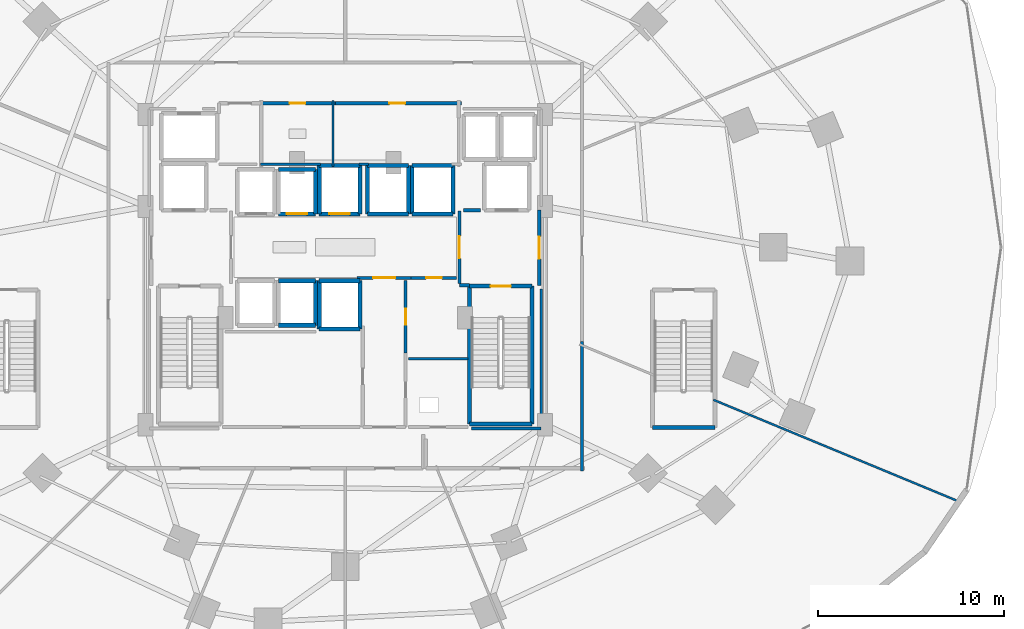
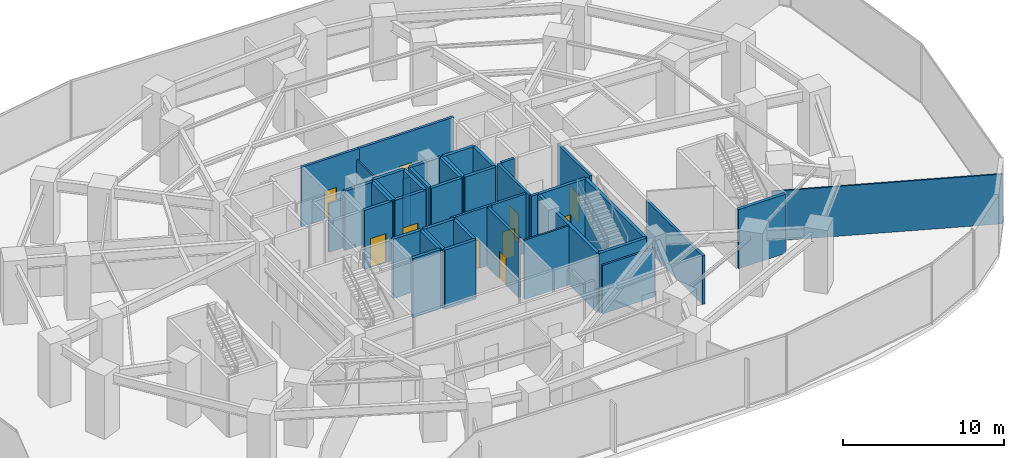
# One storey, part 23 of 27: 44 walls, 10 doors, 10 openings.
"""IFC4 building model written with IfcOpenShell, lengths in metres."""

from ifc_helpers import new_model, si_unit, direction, frame, frame_2d, origin, place, context, subcontext, project, spatial, rectangle, extrude, material, layer, layer_set, type_object, element, fill, save


model = new_model("IFC4")

# Units and contexts
model_context = context("Model", 3, precision=1e-05, world=origin(), true_north=direction((0.0, 1.0)))
body_context = subcontext(model_context, "Body", "Model", "MODEL_VIEW")
ifc_project = project(units=[si_unit("LENGTHUNIT", "METRE"), si_unit("AREAUNIT", "SQUARE_METRE"), si_unit("VOLUMEUNIT", "CUBIC_METRE"), si_unit("PLANEANGLEUNIT", "RADIAN"), si_unit("MASSUNIT", "GRAM", prefix="KILO")], contexts=[model_context])

# Site, building, storey
site_placement = place(None, origin())
site = spatial("IfcSite", under=ifc_project, at=site_placement, CompositionType="ELEMENT")
building_placement = place(site_placement, origin())
building = spatial("IfcBuilding", under=site, at=building_placement, Name="Vorneva Point Tower", CompositionType="ELEMENT")
storey_placement = place(building_placement, frame((0.0, 0.0, 4.800048828125)))
storey = spatial("IfcBuildingStorey", under=building, at=storey_placement, Name="L01", CompositionType="ELEMENT", Elevation=4.800048828125)

# Walls
ifc_material_1 = material(Name="Fire-rated acoustic gypsum stud partition", Category="gypsum")
ifc_layer_1 = layer(ifc_material_1, 0.110107421875)
ifc_layer_set_1 = layer_set([ifc_layer_1], Name="Fire-rated acoustic gypsum stud partition")
wall_type_1 = type_object("IfcWallType", Name="WL-PART-110", PredefinedType="PARTITIONING", material=ifc_layer_set_1)
wall_1_placement = place(storey_placement, frame((37.35009765625, 30.340087890625, 0.0), z_axis=(0.0, 0.0, 1.0), x_axis=(0.0, 1.0, 0.0)))
element("IfcWall", 1, at=wall_1_placement, inside=storey, type_object=wall_type_1, Name="L01 Interior Partition 017", PredefinedType="PARTITIONING", context=body_context, shape_type="SweptSolid", body=[
    extrude(rectangle(XDim=3.559814453125, YDim=0.110107421875, at=frame_2d((1.77978515625, 0.0))), origin(), (0.0, 0.0, 1.0), 3.671875),
])
wall_2_placement = place(storey_placement, frame((71.186279296875, 12.25341796875, 0.0), z_axis=(0.0, 0.0, 1.0), x_axis=(-0.92387438968, 0.382695848021, 0.0)))
element("IfcWall", 2, at=wall_2_placement, inside=storey, type_object=wall_type_1, Name="L01 Interior Partition 045", PredefinedType="PARTITIONING", context=body_context, shape_type="SweptSolid", body=[
    extrude(rectangle(XDim=14.4560546875, YDim=0.110107421875, at=frame_2d((7.22802734375, 0.0))), origin(), (0.0, 0.0, 1.0), 3.76904296875),
])
ifc_layer_2 = layer(ifc_material_1, 0.125)
ifc_layer_set_2 = layer_set([ifc_layer_2], Name="Fire-rated acoustic gypsum stud partition")
wall_type_2 = type_object("IfcWallType", Name="WL-PART-125", PredefinedType="PARTITIONING", material=ifc_layer_set_2)
wall_3_placement = place(storey_placement, frame((44.60009765625, 20.0, 0.0), z_axis=(0.0, 0.0, 1.0), x_axis=(-1.0, 0.0, 0.0)))
element("IfcWall", 3, at=wall_3_placement, inside=storey, type_object=wall_type_2, Name="L01 Interior Partition 015", PredefinedType="PARTITIONING", context=body_context, shape_type="SweptSolid", body=[
    extrude(rectangle(XDim=3.2001953125, YDim=0.125, at=frame_2d((1.60009765625, 0.0))), origin(), (0.0, 0.0, 1.0), 4.47998046875),
])
ifc_layer_3 = layer(ifc_material_1, 0.139892578125)
ifc_layer_set_3 = layer_set([ifc_layer_3], Name="Fire-rated acoustic gypsum stud partition")
wall_type_3 = type_object("IfcWallType", Name="WL-PART-140", PredefinedType="PARTITIONING", material=ifc_layer_set_3)
wall_4_placement = place(storey_placement, frame((33.43994140625, 30.47998046875, 0.0), z_axis=(0.0, 0.0, 1.0), x_axis=(1.0, 0.0, 0.0)))
element("IfcWall", 4, at=wall_4_placement, inside=storey, type_object=wall_type_3, Name="L01 Interior Closure Partition 049", PredefinedType="PARTITIONING", context=body_context, shape_type="SweptSolid", body=[
    extrude(rectangle(XDim=3.22509765625, YDim=0.139892578125, at=frame_2d((1.612548828125, 0.0))), origin(), (0.0, 0.0, 1.0), 3.671875),
])
wall_5_placement = place(storey_placement, frame((38.735107421875, 30.47998046875, 0.0), z_axis=(0.0, 0.0, 1.0), x_axis=(1.0, 0.0, 0.0)))
element("IfcWall", 5, at=wall_5_placement, inside=storey, type_object=wall_type_3, Name="L01 Interior Closure Partition 050", PredefinedType="PARTITIONING", context=body_context, shape_type="SweptSolid", body=[
    extrude(rectangle(XDim=0.52978515625, YDim=0.139892578125, at=frame_2d((0.264892578125, 0.0))), origin(), (0.0, 0.0, 1.0), 3.671875),
])
wall_6_placement = place(storey_placement, frame((48.550048828125, 23.75390625, 0.0), z_axis=(0.0, 0.0, 1.0), x_axis=(0.0, -1.0, 0.0)))
element("IfcWall", 6, at=wall_6_placement, inside=storey, type_object=wall_type_3, Name="L01 Interior Closure Partition 056", PredefinedType="PARTITIONING", context=body_context, shape_type="SweptSolid", body=[
    extrude(rectangle(XDim=7.513916015625, YDim=0.139892578125, at=frame_2d((3.7568359375, 0.0))), origin(), (0.0, 0.0, 1.0), 2.406005859375),
])
wall_7_placement = place(storey_placement, frame((48.550048828125, 16.239990234375, 0.0), z_axis=(0.0, 0.0, 1.0), x_axis=(-1.0, 0.0, 0.0)))
element("IfcWall", 7, at=wall_7_placement, inside=storey, type_object=wall_type_3, Name="L01 Interior Closure Partition 057", PredefinedType="PARTITIONING", context=body_context, shape_type="SweptSolid", body=[
    extrude(rectangle(XDim=3.7451171875, YDim=0.139892578125, at=frame_2d((1.87255859375, 0.0))), origin(), (0.0, 0.0, 1.0), 3.671875),
])

# Wall, opening, door
ifc_material_2 = material(Name="Autoclaved aerated concrete blockwork", Category="masonry")
ifc_layer_4 = layer(ifc_material_2, 0.179931640625)
ifc_layer_set_4 = layer_set([ifc_layer_4], Name="Autoclaved aerated concrete blockwork")
wall_type_4 = type_object("IfcWallType", Name="WL-PART-180", PredefinedType="PARTITIONING", material=ifc_layer_set_4)
wall_8_placement = place(storey_placement, frame((44.14990234375, 27.955078125, 0.0), z_axis=(0.0, 0.0, 1.0), x_axis=(0.0, -1.0, 0.0)))
wall_8 = element("IfcWall", 8, at=wall_8_placement, inside=storey, type_object=wall_type_4, Name="L01 Interior Partition 003", PredefinedType="PARTITIONING", context=body_context, shape_type="SweptSolid", body=[
    extrude(rectangle(XDim=3.91015625, YDim=0.179931640625, at=frame_2d((1.955078125, 0.0))), origin(), (0.0, 0.0, 1.0), 4.47998046875),
])
opening_1_placement = place(wall_8_placement, frame((1.35498046875, 0.0, 0.0)))
opening_1 = element("IfcOpeningElement", 9, at=opening_1_placement, cuts=wall_8, Name="Opening FD-02", PredefinedType="OPENING", context=body_context, shape_type="SweptSolid", body=[
    extrude(rectangle(XDim=1.199951171875, YDim=2.14990234375, at=frame_2d((0.60009765625, 1.074951171875))), frame((0.0, 0.10498046875, 0.0), z_axis=(0.0, -1.0, 0.0), x_axis=(1.0, 0.0, 0.0)), (0.0, 0.0, 1.0), 0.209716796875),
])
ifc_material_3 = material(Name="Fire-rated powder-coated steel", Category="steel")
door_type_1 = type_object("IfcDoorType", Name="DR-FFL-1200", OperationType="NOTDEFINED", PredefinedType="DOOR", material=ifc_material_3)
door_1_placement = place(opening_1_placement, origin())
door_1 = element("IfcDoor", 10, at=door_1_placement, inside=storey, type_object=door_type_1, Name="L01 Door East Firefighting Lobby / Central Lift Lobby", OperationType="SINGLE_SWING_RIGHT", OverallHeight=2.14990234375, OverallWidth=1.199951171875, PredefinedType="DOOR", context=body_context, shape_type="SweptSolid", body=[
    extrude(rectangle(XDim=1.199951171875, YDim=2.14990234375, at=frame_2d((0.60009765625, 1.074951171875))), frame((0.0, 0.02490234375, 0.0), z_axis=(0.0, -1.0, 0.0), x_axis=(1.0, 0.0, 0.0)), (0.0, 0.0, 1.0), 0.050048828125),
])
fill(opening_1, door_1)

# Wall
wall_9_placement = place(storey_placement, frame((44.14990234375, 23.949951171875, 0.0), z_axis=(0.0, 0.0, 1.0), x_axis=(1.0, 0.0, 0.0)))
element("IfcWall", 11, at=wall_9_placement, inside=storey, type_object=wall_type_4, Name="L01 Interior Partition 004", PredefinedType="PARTITIONING", context=body_context, shape_type="SweptSolid", body=[
    extrude(rectangle(XDim=0.5400390625, YDim=0.179931640625, at=frame_2d((0.27001953125, 0.0))), origin(), (0.0, 0.0, 1.0), 4.47998046875),
])

# Wall, opening, door
wall_10_placement = place(storey_placement, frame((48.449951171875, 23.949951171875, 0.0), z_axis=(0.0, 0.0, 1.0), x_axis=(0.0, 1.0, 0.0)))
wall_10 = element("IfcWall", 12, at=wall_10_placement, inside=storey, type_object=wall_type_4, Name="L01 Interior Partition 005", PredefinedType="PARTITIONING", context=body_context, shape_type="SweptSolid", body=[
    extrude(rectangle(XDim=4.050048828125, YDim=0.179931640625, at=frame_2d((2.02490234375, 0.0))), origin(), (0.0, 0.0, 1.0), 4.47998046875),
])
opening_2_placement = place(wall_10_placement, frame((1.425048828125, 0.0, 0.0)))
opening_2 = element("IfcOpeningElement", 13, at=opening_2_placement, cuts=wall_10, Name="Opening FD-02", PredefinedType="OPENING", context=body_context, shape_type="SweptSolid", body=[
    extrude(rectangle(XDim=1.199951171875, YDim=2.14990234375, at=frame_2d((0.60009765625, 1.074951171875))), frame((0.0, 0.10498046875, 0.0), z_axis=(0.0, -1.0, 0.0), x_axis=(1.0, 0.0, 0.0)), (0.0, 0.0, 1.0), 0.209716796875),
])
door_2_placement = place(opening_2_placement, origin())
door_2 = element("IfcDoor", 14, at=door_2_placement, inside=storey, type_object=door_type_1, Name="L01 Door East Firefighting Lobby / L01 Circulation Corridor", OperationType="SINGLE_SWING_LEFT", OverallHeight=2.14990234375, OverallWidth=1.199951171875, PredefinedType="DOOR", context=body_context, shape_type="SweptSolid", body=[
    extrude(rectangle(XDim=1.199951171875, YDim=2.14990234375, at=frame_2d((0.60009765625, 1.074951171875))), frame((0.0, 0.02490234375, 0.0), z_axis=(0.0, -1.0, 0.0), x_axis=(1.0, 0.0, 0.0)), (0.0, 0.0, 1.0), 0.050048828125),
])
fill(opening_2, door_2)

wall_11_placement = place(storey_placement, frame((38.64501953125, 24.35009765625, 0.0), z_axis=(0.0, 0.0, 1.0), x_axis=(1.0, 0.0, 0.0)))
wall_11 = element("IfcWall", 15, at=wall_11_placement, inside=storey, type_object=wall_type_4, Name="L01 Interior Partition 009", PredefinedType="PARTITIONING", context=body_context, shape_type="SweptSolid", body=[
    extrude(rectangle(XDim=2.909912109375, YDim=0.179931640625, at=frame_2d((1.455078125, 0.0))), origin(), (0.0, 0.0, 1.0), 4.47998046875),
])
opening_3_placement = place(wall_11_placement, frame((0.85498046875, 0.0, 0.0)))
opening_3 = element("IfcOpeningElement", 16, at=opening_3_placement, cuts=wall_11, Name="Opening FD-02", PredefinedType="OPENING", context=body_context, shape_type="SweptSolid", body=[
    extrude(rectangle(XDim=1.199951171875, YDim=2.14990234375, at=frame_2d((0.60009765625, 1.074951171875))), frame((0.0, 0.10498046875, 0.0), z_axis=(0.0, -1.0, 0.0), x_axis=(1.0, 0.0, 0.0)), (0.0, 0.0, 1.0), 0.209716796875),
])
door_3_placement = place(opening_3_placement, origin())
door_3 = element("IfcDoor", 17, at=door_3_placement, inside=storey, type_object=door_type_1, Name="L01 Door Central Lift Lobby / Core Service Lobby", OperationType="SINGLE_SWING_LEFT", OverallHeight=2.14990234375, OverallWidth=1.199951171875, PredefinedType="DOOR", context=body_context, shape_type="SweptSolid", body=[
    extrude(rectangle(XDim=1.199951171875, YDim=2.14990234375, at=frame_2d((0.60009765625, 1.074951171875))), frame((0.0, 0.02490234375, 0.0), z_axis=(0.0, -1.0, 0.0), x_axis=(1.0, 0.0, 0.0)), (0.0, 0.0, 1.0), 0.050048828125),
])
fill(opening_3, door_3)

wall_12_placement = place(storey_placement, frame((41.554931640625, 24.35009765625, 0.0), z_axis=(0.0, 0.0, 1.0), x_axis=(1.0, 0.0, 0.0)))
wall_12 = element("IfcWall", 18, at=wall_12_placement, inside=storey, type_object=wall_type_4, Name="L01 Interior Partition 010", PredefinedType="PARTITIONING", context=body_context, shape_type="SweptSolid", body=[
    extrude(rectangle(XDim=2.445068359375, YDim=0.179931640625, at=frame_2d((1.22265625, 0.0))), origin(), (0.0, 0.0, 1.0), 4.47998046875),
])
opening_4_placement = place(wall_12_placement, frame((0.797607421875, 0.0, 0.0)))
opening_4 = element("IfcOpeningElement", 19, at=opening_4_placement, cuts=wall_12, Name="Opening ID-02", PredefinedType="OPENING", context=body_context, shape_type="SweptSolid", body=[
    extrude(rectangle(XDim=0.85009765625, YDim=2.10009765625, at=frame_2d((0.425048828125, 1.050048828125))), frame((0.0, 0.10498046875, 0.0), z_axis=(0.0, -1.0, 0.0), x_axis=(1.0, 0.0, 0.0)), (0.0, 0.0, 1.0), 0.209716796875),
])
ifc_material_4 = material(Name="Engineered oak fire-rated door leaf", Category="wood")
door_type_2 = type_object("IfcDoorType", Name="DR-BATH-850", OperationType="NOTDEFINED", PredefinedType="DOOR", material=ifc_material_4)
door_4_placement = place(opening_4_placement, origin())
door_4 = element("IfcDoor", 20, at=door_4_placement, inside=storey, type_object=door_type_2, Name="L01 Door Central Lift Lobby / Cleaners Store", OperationType="SINGLE_SWING_RIGHT", OverallHeight=2.10009765625, OverallWidth=0.85009765625, PredefinedType="DOOR", context=body_context, shape_type="SweptSolid", body=[
    extrude(rectangle(XDim=0.85009765625, YDim=2.10009765625, at=frame_2d((0.425048828125, 1.050048828125))), frame((0.0, 0.02490234375, 0.0), z_axis=(0.0, -1.0, 0.0), x_axis=(1.0, 0.0, 0.0)), (0.0, 0.0, 1.0), 0.050048828125),
])
fill(opening_4, door_4)

wall_13_placement = place(storey_placement, frame((41.25, 20.304931640625, 0.0), z_axis=(0.0, 0.0, 1.0), x_axis=(0.0, 1.0, 0.0)))
wall_13 = element("IfcWall", 21, at=wall_13_placement, inside=storey, type_object=wall_type_4, Name="L01 Interior Partition 012", PredefinedType="PARTITIONING", context=body_context, shape_type="SweptSolid", body=[
    extrude(rectangle(XDim=3.89501953125, YDim=0.179931640625, at=frame_2d((1.947509765625, 0.0))), origin(), (0.0, 0.0, 1.0), 4.47998046875),
])
opening_5_placement = place(wall_13_placement, frame((1.5224609375, 0.0, 0.0)))
opening_5 = element("IfcOpeningElement", 22, at=opening_5_placement, cuts=wall_13, Name="Opening ID-02", PredefinedType="OPENING", context=body_context, shape_type="SweptSolid", body=[
    extrude(rectangle(XDim=0.85009765625, YDim=2.10009765625, at=frame_2d((0.425048828125, 1.050048828125))), frame((0.0, 0.10498046875, 0.0), z_axis=(0.0, -1.0, 0.0), x_axis=(1.0, 0.0, 0.0)), (0.0, 0.0, 1.0), 0.209716796875),
])
door_5_placement = place(opening_5_placement, origin())
door_5 = element("IfcDoor", 23, at=door_5_placement, inside=storey, type_object=door_type_2, Name="L01 Door Core Service Lobby / Cleaners Store", OperationType="SINGLE_SWING_RIGHT", OverallHeight=2.10009765625, OverallWidth=0.85009765625, PredefinedType="DOOR", context=body_context, shape_type="SweptSolid", body=[
    extrude(rectangle(XDim=0.85009765625, YDim=2.10009765625, at=frame_2d((0.425048828125, 1.050048828125))), frame((0.0, 0.02490234375, 0.0), z_axis=(0.0, -1.0, 0.0), x_axis=(1.0, 0.0, 0.0)), (0.0, 0.0, 1.0), 0.050048828125),
])
fill(opening_5, door_5)

wall_14_placement = place(storey_placement, frame((37.489990234375, 33.760009765625, 0.0), z_axis=(0.0, 0.0, 1.0), x_axis=(-1.0, 0.0, 0.0)))
wall_14 = element("IfcWall", 24, at=wall_14_placement, inside=storey, type_object=wall_type_4, Name="L01 Interior Partition 018", PredefinedType="PARTITIONING", context=body_context, shape_type="SweptSolid", body=[
    extrude(rectangle(XDim=4.1298828125, YDim=0.179931640625, at=frame_2d((2.06494140625, 0.0))), origin(), (0.0, 0.0, 1.0), 4.47998046875),
])
opening_6_placement = place(wall_14_placement, frame((1.639892578125, 0.0, 0.0)))
opening_6 = element("IfcOpeningElement", 25, at=opening_6_placement, cuts=wall_14, Name="Opening ID-02", PredefinedType="OPENING", context=body_context, shape_type="SweptSolid", body=[
    extrude(rectangle(XDim=0.85009765625, YDim=2.10009765625, at=frame_2d((0.425048828125, 1.050048828125))), frame((0.0, 0.10498046875, 0.0), z_axis=(0.0, -1.0, 0.0), x_axis=(1.0, 0.0, 0.0)), (0.0, 0.0, 1.0), 0.209716796875),
])
door_6_placement = place(opening_6_placement, origin())
door_6 = element("IfcDoor", 26, at=door_6_placement, inside=storey, type_object=door_type_2, Name="L01 Door Accessible WC / L01 Circulation Corridor", OperationType="SINGLE_SWING_RIGHT", OverallHeight=2.10009765625, OverallWidth=0.85009765625, PredefinedType="DOOR", context=body_context, shape_type="SweptSolid", body=[
    extrude(rectangle(XDim=0.85009765625, YDim=2.10009765625, at=frame_2d((0.425048828125, 1.050048828125))), frame((0.0, 0.02490234375, 0.0), z_axis=(0.0, -1.0, 0.0), x_axis=(1.0, 0.0, 0.0)), (0.0, 0.0, 1.0), 0.050048828125),
])
fill(opening_6, door_6)

wall_15_placement = place(storey_placement, frame((44.260009765625, 33.760009765625, 0.0), z_axis=(0.0, 0.0, 1.0), x_axis=(-1.0, 0.0, 0.0)))
wall_15 = element("IfcWall", 27, at=wall_15_placement, inside=storey, type_object=wall_type_4, Name="L01 Interior Partition 019", PredefinedType="PARTITIONING", context=body_context, shape_type="SweptSolid", body=[
    extrude(rectangle(XDim=6.909912109375, YDim=0.179931640625, at=frame_2d((3.455078125, 0.0))), origin(), (0.0, 0.0, 1.0), 4.47998046875),
])
opening_7_placement = place(wall_15_placement, frame((3.030029296875, 0.0, 0.0)))
opening_7 = element("IfcOpeningElement", 28, at=opening_7_placement, cuts=wall_15, Name="Opening ID-02", PredefinedType="OPENING", context=body_context, shape_type="SweptSolid", body=[
    extrude(rectangle(XDim=0.85009765625, YDim=2.10009765625, at=frame_2d((0.425048828125, 1.050048828125))), frame((0.0, 0.10498046875, 0.0), z_axis=(0.0, -1.0, 0.0), x_axis=(1.0, 0.0, 0.0)), (0.0, 0.0, 1.0), 0.209716796875),
])
door_7_placement = place(opening_7_placement, origin())
door_7 = element("IfcDoor", 29, at=door_7_placement, inside=storey, type_object=door_type_2, Name="L01 Door Public Restroom / L01 Circulation Corridor", OperationType="SINGLE_SWING_LEFT", OverallHeight=2.10009765625, OverallWidth=0.85009765625, PredefinedType="DOOR", context=body_context, shape_type="SweptSolid", body=[
    extrude(rectangle(XDim=0.85009765625, YDim=2.10009765625, at=frame_2d((0.425048828125, 1.050048828125))), frame((0.0, 0.02490234375, 0.0), z_axis=(0.0, -1.0, 0.0), x_axis=(1.0, 0.0, 0.0)), (0.0, 0.0, 1.0), 0.050048828125),
])
fill(opening_7, door_7)

# Walls
wall_16_placement = place(storey_placement, frame((50.75, 13.9599609375, 0.0), z_axis=(0.0, 0.0, 1.0), x_axis=(0.0, 1.0, 0.0)))
element("IfcWall", 30, at=wall_16_placement, inside=storey, type_object=wall_type_4, Name="L01 Interior Partition 035", PredefinedType="PARTITIONING", context=body_context, shape_type="SweptSolid", body=[
    extrude(rectangle(XDim=6.958984375, YDim=0.179931640625, at=frame_2d((3.4794921875, 0.0))), origin(), (0.0, 0.0, 1.0), 3.671875),
])
wall_17_placement = place(storey_placement, frame((45.280029296875, 28.0, 0.0), z_axis=(0.0, 0.0, 1.0), x_axis=(-1.0, 0.0, 0.0)))
element("IfcWall", 31, at=wall_17_placement, inside=storey, type_object=wall_type_4, Name="L01 Interior Closure Partition 047", PredefinedType="PARTITIONING", context=body_context, shape_type="SweptSolid", body=[
    extrude(rectangle(XDim=0.9150390625, YDim=0.179931640625, at=frame_2d((0.45751953125, 0.0))), origin(), (0.0, 0.0, 1.0), 4.47998046875),
])

# Wall, opening, door
ifc_material_5 = material(Name="Concrete B50 (C40/50)", Category="concrete")
ifc_layer_5 = layer(ifc_material_5, 0.219970703125)
ifc_layer_set_5 = layer_set([ifc_layer_5], Name="Concrete B50 (C40/50)")
wall_type_5 = type_object("IfcWallType", Name="WL-SHFT-220", PredefinedType="SOLIDWALL", material=ifc_layer_set_5)
wall_18_placement = place(storey_placement, frame((44.68994140625, 23.909912109375, 0.0), z_axis=(0.0, 0.0, 1.0), x_axis=(1.0, 0.0, 0.0)))
wall_18 = element("IfcWall", 32, at=wall_18_placement, inside=storey, type_object=wall_type_5, Name="L01 Exit Stair ST2 Shaft Wall near", PredefinedType="SOLIDWALL", context=body_context, shape_type="SweptSolid", body=[
    extrude(rectangle(XDim=3.3701171875, YDim=0.219970703125, at=frame_2d((1.68505859375, 0.0))), origin(), (0.0, 0.0, 1.0), 4.47998046875),
])
opening_8_placement = place(wall_18_placement, frame((1.135009765625, 0.0, 0.0)))
opening_8 = element("IfcOpeningElement", 33, at=opening_8_placement, cuts=wall_18, Name="Opening FD-01", PredefinedType="OPENING", context=body_context, shape_type="SweptSolid", body=[
    extrude(rectangle(XDim=1.10009765625, YDim=2.14990234375, at=frame_2d((0.550048828125, 1.074951171875))), frame((0.0, 0.125, 0.0), z_axis=(0.0, -1.0, 0.0), x_axis=(1.0, 0.0, 0.0)), (0.0, 0.0, 1.0), 0.249755859375),
])
door_type_3 = type_object("IfcDoorType", Name="DR-STAIR-1100", OperationType="NOTDEFINED", PredefinedType="DOOR", material=ifc_material_3)
door_8_placement = place(opening_8_placement, origin())
door_8 = element("IfcDoor", 34, at=door_8_placement, inside=storey, type_object=door_type_3, Name="L01 Exit Stair ST2 Fire Door", OperationType="SINGLE_SWING_RIGHT", OverallHeight=2.14990234375, OverallWidth=1.10009765625, PredefinedType="DOOR", context=body_context, shape_type="SweptSolid", body=[
    extrude(rectangle(XDim=1.10009765625, YDim=2.14990234375, at=frame_2d((0.550048828125, 1.074951171875))), frame((0.0, 0.02490234375, 0.0), z_axis=(0.0, -1.0, 0.0), x_axis=(1.0, 0.0, 0.0)), (0.0, 0.0, 1.0), 0.050048828125),
])
fill(opening_8, door_8)

# Walls
wall_19_placement = place(storey_placement, frame((48.06005859375, 23.909912109375, 0.0), z_axis=(0.0, 0.0, 1.0), x_axis=(0.0, -1.0, 0.0)))
element("IfcWall", 35, at=wall_19_placement, inside=storey, type_object=wall_type_5, Name="L01 Exit Stair ST2 Shaft Wall right", PredefinedType="SOLIDWALL", context=body_context, shape_type="SweptSolid", body=[
    extrude(rectangle(XDim=7.419921875, YDim=0.219970703125, at=frame_2d((3.7099609375, 0.0))), origin(), (0.0, 0.0, 1.0), 4.47998046875),
])
wall_20_placement = place(storey_placement, frame((48.06005859375, 16.489990234375, 0.0), z_axis=(0.0, 0.0, 1.0), x_axis=(-1.0, 0.0, 0.0)))
element("IfcWall", 36, at=wall_20_placement, inside=storey, type_object=wall_type_5, Name="L01 Exit Stair ST2 Shaft Wall far", PredefinedType="SOLIDWALL", context=body_context, shape_type="SweptSolid", body=[
    extrude(rectangle(XDim=3.3701171875, YDim=0.219970703125, at=frame_2d((1.68505859375, 0.0))), origin(), (0.0, 0.0, 1.0), 4.47998046875),
])
wall_21_placement = place(storey_placement, frame((44.68994140625, 16.489990234375, 0.0), z_axis=(0.0, 0.0, 1.0), x_axis=(0.0, 1.0, 0.0)))
element("IfcWall", 37, at=wall_21_placement, inside=storey, type_object=wall_type_5, Name="L01 Exit Stair ST2 Shaft Wall left", PredefinedType="SOLIDWALL", context=body_context, shape_type="SweptSolid", body=[
    extrude(rectangle(XDim=7.419921875, YDim=0.219970703125, at=frame_2d((3.7099609375, 0.0))), origin(), (0.0, 0.0, 1.0), 4.47998046875),
])
wall_22_placement = place(storey_placement, frame((57.909912109375, 16.2900390625, 0.0), z_axis=(0.0, 0.0, 1.0), x_axis=(-1.0, 0.0, 0.0)))
element("IfcWall", 38, at=wall_22_placement, inside=storey, type_object=wall_type_5, Name="L01 Exit Stair ST4 Shaft Wall far", PredefinedType="SOLIDWALL", context=body_context, shape_type="SweptSolid", body=[
    extrude(rectangle(XDim=3.369873046875, YDim=0.219970703125, at=frame_2d((1.68505859375, 0.0))), origin(), (0.0, 0.0, 1.0), 4.47998046875),
])

# Wall, opening, door
wall_23_placement = place(storey_placement, frame((34.39990234375, 27.800048828125, 0.0), z_axis=(0.0, 0.0, 1.0), x_axis=(1.0, 0.0, 0.0)))
wall_23 = element("IfcWall", 39, at=wall_23_placement, inside=storey, type_object=wall_type_5, Name="L01 Lift PL2 Shaft Wall -Y", PredefinedType="SOLIDWALL", context=body_context, shape_type="SweptSolid", body=[
    extrude(rectangle(XDim=2.0, YDim=0.219970703125, at=frame_2d((1.0, 0.0))), origin(), (0.0, 0.0, 1.0), 4.47998046875),
])
opening_9_placement = place(wall_23_placement, frame((0.449951171875, 0.0, 0.0)))
opening_9 = element("IfcOpeningElement", 40, at=opening_9_placement, cuts=wall_23, Name="Opening LD-01", PredefinedType="OPENING", context=body_context, shape_type="SweptSolid", body=[
    extrude(rectangle(XDim=1.10009765625, YDim=2.199951171875, at=frame_2d((0.550048828125, 1.10009765625))), frame((0.0, 0.125, 0.0), z_axis=(0.0, -1.0, 0.0), x_axis=(1.0, 0.0, 0.0)), (0.0, 0.0, 1.0), 0.249755859375),
])
ifc_material_6 = material(Name="Brushed stainless steel S304", Category="steel")
door_type_4 = type_object("IfcDoorType", Name="LD-PASS-1100", OperationType="SLIDING_TO_LEFT", PredefinedType="DOOR", material=ifc_material_6)
door_9_placement = place(opening_9_placement, origin())
door_9 = element("IfcDoor", 41, at=door_9_placement, inside=storey, type_object=door_type_4, Name="L01 Lift PL2 Sliding Landing Door", OperationType="SLIDING_TO_LEFT", OverallHeight=2.199951171875, OverallWidth=1.10009765625, PredefinedType="DOOR", context=body_context, shape_type="SweptSolid", body=[
    extrude(rectangle(XDim=1.10009765625, YDim=2.199951171875, at=frame_2d((0.550048828125, 1.10009765625))), frame((0.0, 0.02490234375, 0.0), z_axis=(0.0, -1.0, 0.0), x_axis=(1.0, 0.0, 0.0)), (0.0, 0.0, 1.0), 0.050048828125),
])
fill(opening_9, door_9)

# Walls
wall_24_placement = place(storey_placement, frame((36.39990234375, 27.800048828125, 0.0), z_axis=(0.0, 0.0, 1.0), x_axis=(0.0, 1.0, 0.0)))
element("IfcWall", 42, at=wall_24_placement, inside=storey, type_object=wall_type_5, Name="L01 Lift PL2 Shaft Wall +X", PredefinedType="SOLIDWALL", context=body_context, shape_type="SweptSolid", body=[
    extrude(rectangle(XDim=2.39990234375, YDim=0.219970703125, at=frame_2d((1.199951171875, 0.0))), origin(), (0.0, 0.0, 1.0), 4.47998046875),
])
wall_25_placement = place(storey_placement, frame((36.39990234375, 30.199951171875, 0.0), z_axis=(0.0, 0.0, 1.0), x_axis=(-1.0, 0.0, 0.0)))
element("IfcWall", 43, at=wall_25_placement, inside=storey, type_object=wall_type_5, Name="L01 Lift PL2 Shaft Wall +Y", PredefinedType="SOLIDWALL", context=body_context, shape_type="SweptSolid", body=[
    extrude(rectangle(XDim=2.0, YDim=0.219970703125, at=frame_2d((1.0, 0.0))), origin(), (0.0, 0.0, 1.0), 4.47998046875),
])

# Wall, opening, door
wall_26_placement = place(storey_placement, frame((36.60009765625, 27.800048828125, 0.0), z_axis=(0.0, 0.0, 1.0), x_axis=(1.0, 0.0, 0.0)))
wall_26 = element("IfcWall", 44, at=wall_26_placement, inside=storey, type_object=wall_type_5, Name="L01 Lift PL3 Shaft Wall -Y", PredefinedType="SOLIDWALL", context=body_context, shape_type="SweptSolid", body=[
    extrude(rectangle(XDim=2.199951171875, YDim=0.219970703125, at=frame_2d((1.10009765625, 0.0))), origin(), (0.0, 0.0, 1.0), 4.47998046875),
])
opening_10_placement = place(wall_26_placement, frame((0.550048828125, 0.0, 0.0)))
opening_10 = element("IfcOpeningElement", 45, at=opening_10_placement, cuts=wall_26, Name="Opening LD-01", PredefinedType="OPENING", context=body_context, shape_type="SweptSolid", body=[
    extrude(rectangle(XDim=1.10009765625, YDim=2.199951171875, at=frame_2d((0.550048828125, 1.10009765625))), frame((0.0, 0.125, 0.0), z_axis=(0.0, -1.0, 0.0), x_axis=(1.0, 0.0, 0.0)), (0.0, 0.0, 1.0), 0.249755859375),
])
door_10_placement = place(opening_10_placement, origin())
door_10 = element("IfcDoor", 46, at=door_10_placement, inside=storey, type_object=door_type_4, Name="L01 Lift PL3 Sliding Landing Door", OperationType="SLIDING_TO_LEFT", OverallHeight=2.199951171875, OverallWidth=1.10009765625, PredefinedType="DOOR", context=body_context, shape_type="SweptSolid", body=[
    extrude(rectangle(XDim=1.10009765625, YDim=2.199951171875, at=frame_2d((0.550048828125, 1.10009765625))), frame((0.0, 0.02490234375, 0.0), z_axis=(0.0, -1.0, 0.0), x_axis=(1.0, 0.0, 0.0)), (0.0, 0.0, 1.0), 0.050048828125),
])
fill(opening_10, door_10)

# Walls
wall_27_placement = place(storey_placement, frame((38.800048828125, 27.800048828125, 0.0), z_axis=(0.0, 0.0, 1.0), x_axis=(0.0, 1.0, 0.0)))
element("IfcWall", 47, at=wall_27_placement, inside=storey, type_object=wall_type_5, Name="L01 Lift PL3 Shaft Wall +X", PredefinedType="SOLIDWALL", context=body_context, shape_type="SweptSolid", body=[
    extrude(rectangle(XDim=2.599853515625, YDim=0.219970703125, at=frame_2d((1.2998046875, 0.0))), origin(), (0.0, 0.0, 1.0), 4.47998046875),
])
wall_28_placement = place(storey_placement, frame((38.800048828125, 30.39990234375, 0.0), z_axis=(0.0, 0.0, 1.0), x_axis=(-1.0, 0.0, 0.0)))
element("IfcWall", 48, at=wall_28_placement, inside=storey, type_object=wall_type_5, Name="L01 Lift PL3 Shaft Wall +Y", PredefinedType="SOLIDWALL", context=body_context, shape_type="SweptSolid", body=[
    extrude(rectangle(XDim=2.199951171875, YDim=0.219970703125, at=frame_2d((1.10009765625, 0.0))), origin(), (0.0, 0.0, 1.0), 4.47998046875),
])
wall_29_placement = place(storey_placement, frame((36.60009765625, 30.39990234375, 0.0), z_axis=(0.0, 0.0, 1.0), x_axis=(0.0, -1.0, 0.0)))
element("IfcWall", 49, at=wall_29_placement, inside=storey, type_object=wall_type_5, Name="L01 Lift PL3 Shaft Wall -X", PredefinedType="SOLIDWALL", context=body_context, shape_type="SweptSolid", body=[
    extrude(rectangle(XDim=2.599853515625, YDim=0.219970703125, at=frame_2d((1.2998046875, 0.0))), origin(), (0.0, 0.0, 1.0), 4.47998046875),
])
wall_30_placement = place(storey_placement, frame((34.39990234375, 21.800048828125, 0.0), z_axis=(0.0, 0.0, 1.0), x_axis=(1.0, 0.0, 0.0)))
element("IfcWall", 50, at=wall_30_placement, inside=storey, type_object=wall_type_5, Name="L01 Lift PL5 Shaft Wall -Y", PredefinedType="SOLIDWALL", context=body_context, shape_type="SweptSolid", body=[
    extrude(rectangle(XDim=2.0, YDim=0.219970703125, at=frame_2d((1.0, 0.0))), origin(), (0.0, 0.0, 1.0), 4.47998046875),
])
wall_31_placement = place(storey_placement, frame((36.39990234375, 21.800048828125, 0.0), z_axis=(0.0, 0.0, 1.0), x_axis=(0.0, 1.0, 0.0)))
element("IfcWall", 51, at=wall_31_placement, inside=storey, type_object=wall_type_5, Name="L01 Lift PL5 Shaft Wall +X", PredefinedType="SOLIDWALL", context=body_context, shape_type="SweptSolid", body=[
    extrude(rectangle(XDim=2.39990234375, YDim=0.219970703125, at=frame_2d((1.199951171875, 0.0))), origin(), (0.0, 0.0, 1.0), 4.47998046875),
])
wall_32_placement = place(storey_placement, frame((36.39990234375, 24.199951171875, 0.0), z_axis=(0.0, 0.0, 1.0), x_axis=(-1.0, 0.0, 0.0)))
element("IfcWall", 52, at=wall_32_placement, inside=storey, type_object=wall_type_5, Name="L01 Lift PL5 Shaft Wall +Y", PredefinedType="SOLIDWALL", context=body_context, shape_type="SweptSolid", body=[
    extrude(rectangle(XDim=2.0, YDim=0.219970703125, at=frame_2d((1.0, 0.0))), origin(), (0.0, 0.0, 1.0), 4.47998046875),
])
wall_33_placement = place(storey_placement, frame((36.60009765625, 21.60009765625, 0.0), z_axis=(0.0, 0.0, 1.0), x_axis=(1.0, 0.0, 0.0)))
element("IfcWall", 53, at=wall_33_placement, inside=storey, type_object=wall_type_5, Name="L01 Lift PL6 Shaft Wall -Y", PredefinedType="SOLIDWALL", context=body_context, shape_type="SweptSolid", body=[
    extrude(rectangle(XDim=2.199951171875, YDim=0.219970703125, at=frame_2d((1.10009765625, 0.0))), origin(), (0.0, 0.0, 1.0), 4.47998046875),
])
wall_34_placement = place(storey_placement, frame((38.800048828125, 21.60009765625, 0.0), z_axis=(0.0, 0.0, 1.0), x_axis=(0.0, 1.0, 0.0)))
element("IfcWall", 54, at=wall_34_placement, inside=storey, type_object=wall_type_5, Name="L01 Lift PL6 Shaft Wall +X", PredefinedType="SOLIDWALL", context=body_context, shape_type="SweptSolid", body=[
    extrude(rectangle(XDim=2.599853515625, YDim=0.219970703125, at=frame_2d((1.2998046875, 0.0))), origin(), (0.0, 0.0, 1.0), 4.47998046875),
])
wall_35_placement = place(storey_placement, frame((38.800048828125, 24.199951171875, 0.0), z_axis=(0.0, 0.0, 1.0), x_axis=(-1.0, 0.0, 0.0)))
element("IfcWall", 55, at=wall_35_placement, inside=storey, type_object=wall_type_5, Name="L01 Lift PL6 Shaft Wall +Y", PredefinedType="SOLIDWALL", context=body_context, shape_type="SweptSolid", body=[
    extrude(rectangle(XDim=2.199951171875, YDim=0.219970703125, at=frame_2d((1.10009765625, 0.0))), origin(), (0.0, 0.0, 1.0), 4.47998046875),
])
wall_36_placement = place(storey_placement, frame((36.60009765625, 24.199951171875, 0.0), z_axis=(0.0, 0.0, 1.0), x_axis=(0.0, -1.0, 0.0)))
element("IfcWall", 56, at=wall_36_placement, inside=storey, type_object=wall_type_5, Name="L01 Lift PL6 Shaft Wall -X", PredefinedType="SOLIDWALL", context=body_context, shape_type="SweptSolid", body=[
    extrude(rectangle(XDim=2.599853515625, YDim=0.219970703125, at=frame_2d((1.2998046875, 0.0))), origin(), (0.0, 0.0, 1.0), 4.47998046875),
])
wall_37_placement = place(storey_placement, frame((39.199951171875, 27.800048828125, 0.0), z_axis=(0.0, 0.0, 1.0), x_axis=(1.0, 0.0, 0.0)))
element("IfcWall", 57, at=wall_37_placement, inside=storey, type_object=wall_type_5, Name="L01 Lift PL7 Shaft Wall -Y", PredefinedType="SOLIDWALL", context=body_context, shape_type="SweptSolid", body=[
    extrude(rectangle(XDim=2.199951171875, YDim=0.219970703125, at=frame_2d((1.10009765625, 0.0))), origin(), (0.0, 0.0, 1.0), 4.47998046875),
])
wall_38_placement = place(storey_placement, frame((41.39990234375, 27.800048828125, 0.0), z_axis=(0.0, 0.0, 1.0), x_axis=(0.0, 1.0, 0.0)))
element("IfcWall", 58, at=wall_38_placement, inside=storey, type_object=wall_type_5, Name="L01 Lift PL7 Shaft Wall +X", PredefinedType="SOLIDWALL", context=body_context, shape_type="SweptSolid", body=[
    extrude(rectangle(XDim=2.599853515625, YDim=0.219970703125, at=frame_2d((1.2998046875, 0.0))), origin(), (0.0, 0.0, 1.0), 4.47998046875),
])
wall_39_placement = place(storey_placement, frame((41.39990234375, 30.39990234375, 0.0), z_axis=(0.0, 0.0, 1.0), x_axis=(-1.0, 0.0, 0.0)))
element("IfcWall", 59, at=wall_39_placement, inside=storey, type_object=wall_type_5, Name="L01 Lift PL7 Shaft Wall +Y", PredefinedType="SOLIDWALL", context=body_context, shape_type="SweptSolid", body=[
    extrude(rectangle(XDim=2.199951171875, YDim=0.219970703125, at=frame_2d((1.10009765625, 0.0))), origin(), (0.0, 0.0, 1.0), 4.47998046875),
])
wall_40_placement = place(storey_placement, frame((39.199951171875, 30.39990234375, 0.0), z_axis=(0.0, 0.0, 1.0), x_axis=(0.0, -1.0, 0.0)))
element("IfcWall", 60, at=wall_40_placement, inside=storey, type_object=wall_type_5, Name="L01 Lift PL7 Shaft Wall -X", PredefinedType="SOLIDWALL", context=body_context, shape_type="SweptSolid", body=[
    extrude(rectangle(XDim=2.599853515625, YDim=0.219970703125, at=frame_2d((1.2998046875, 0.0))), origin(), (0.0, 0.0, 1.0), 4.47998046875),
])
wall_41_placement = place(storey_placement, frame((41.60009765625, 27.800048828125, 0.0), z_axis=(0.0, 0.0, 1.0), x_axis=(1.0, 0.0, 0.0)))
element("IfcWall", 61, at=wall_41_placement, inside=storey, type_object=wall_type_5, Name="L01 Lift PL8 Shaft Wall -Y", PredefinedType="SOLIDWALL", context=body_context, shape_type="SweptSolid", body=[
    extrude(rectangle(XDim=2.199951171875, YDim=0.219970703125, at=frame_2d((1.10009765625, 0.0))), origin(), (0.0, 0.0, 1.0), 4.47998046875),
])
wall_42_placement = place(storey_placement, frame((43.800048828125, 27.800048828125, 0.0), z_axis=(0.0, 0.0, 1.0), x_axis=(0.0, 1.0, 0.0)))
element("IfcWall", 62, at=wall_42_placement, inside=storey, type_object=wall_type_5, Name="L01 Lift PL8 Shaft Wall +X", PredefinedType="SOLIDWALL", context=body_context, shape_type="SweptSolid", body=[
    extrude(rectangle(XDim=2.599853515625, YDim=0.219970703125, at=frame_2d((1.2998046875, 0.0))), origin(), (0.0, 0.0, 1.0), 4.47998046875),
])
wall_43_placement = place(storey_placement, frame((43.800048828125, 30.39990234375, 0.0), z_axis=(0.0, 0.0, 1.0), x_axis=(-1.0, 0.0, 0.0)))
element("IfcWall", 63, at=wall_43_placement, inside=storey, type_object=wall_type_5, Name="L01 Lift PL8 Shaft Wall +Y", PredefinedType="SOLIDWALL", context=body_context, shape_type="SweptSolid", body=[
    extrude(rectangle(XDim=2.199951171875, YDim=0.219970703125, at=frame_2d((1.10009765625, 0.0))), origin(), (0.0, 0.0, 1.0), 4.47998046875),
])
wall_44_placement = place(storey_placement, frame((41.60009765625, 30.39990234375, 0.0), z_axis=(0.0, 0.0, 1.0), x_axis=(0.0, -1.0, 0.0)))
element("IfcWall", 64, at=wall_44_placement, inside=storey, type_object=wall_type_5, Name="L01 Lift PL8 Shaft Wall -X", PredefinedType="SOLIDWALL", context=body_context, shape_type="SweptSolid", body=[
    extrude(rectangle(XDim=2.599853515625, YDim=0.219970703125, at=frame_2d((1.2998046875, 0.0))), origin(), (0.0, 0.0, 1.0), 4.47998046875),
])

save(model, "model.ifc")
